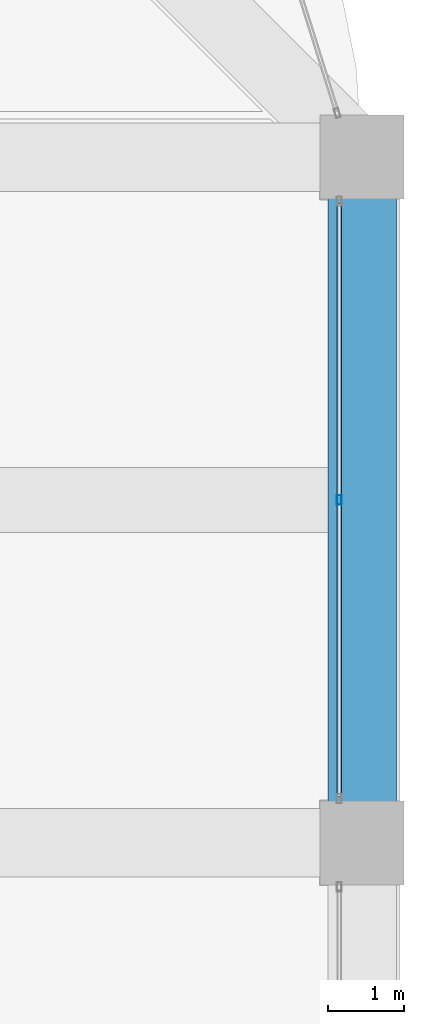
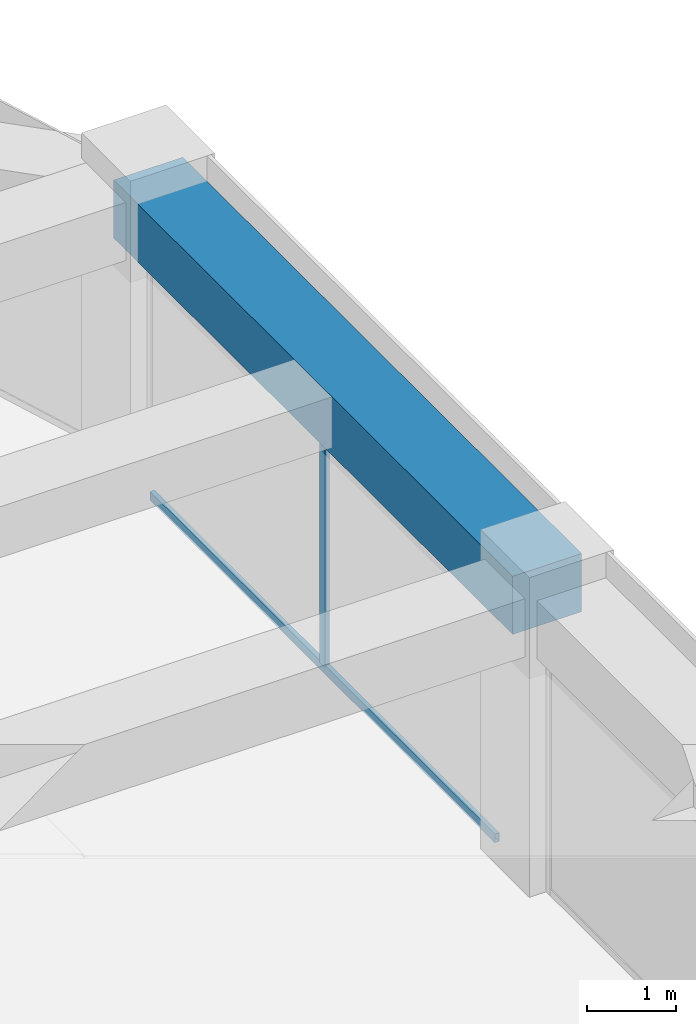
# One storey, part 27 of 44: 2 members, 1 beam, 1 element without a shape of its own.
"""IFC4 building model written with IfcOpenShell, lengths in metres."""

from ifc_helpers import new_model, si_unit, direction, frame, origin, origin_2d, place, context, subcontext, project, spatial, rectangle, hollow_rectangle, extrude, material, material_profile, profile_set, type_object, element, aggregate, save


model = new_model("IFC4")

# Units and contexts
model_context = context("Model", 3, precision=1e-05, world=origin(), true_north=direction((0.0, 1.0)))
body_context = subcontext(model_context, "Body", "Model", "MODEL_VIEW")
ifc_project = project(units=[si_unit("LENGTHUNIT", "METRE"), si_unit("AREAUNIT", "SQUARE_METRE"), si_unit("VOLUMEUNIT", "CUBIC_METRE"), si_unit("PLANEANGLEUNIT", "RADIAN"), si_unit("MASSUNIT", "GRAM", prefix="KILO")], contexts=[model_context])

# Site, building, storey
site_placement = place(None, origin())
site = spatial("IfcSite", under=ifc_project, at=site_placement, CompositionType="ELEMENT")
building_placement = place(site_placement, origin())
building = spatial("IfcBuilding", under=site, at=building_placement, Name="Zorevar Civic Tower", CompositionType="ELEMENT")
storey_placement = place(building_placement, frame((0.0, 0.0, 307.39990234375)))
storey = spatial("IfcBuildingStorey", under=building, at=storey_placement, Name="L75", CompositionType="ELEMENT", Elevation=307.39990234375)

# Curtain wall, members
ifc_material_1 = material(Name="Dark grey solar-control glass in black aluminium frame", Category="aluminium")
curtain_wall_type = type_object("IfcCurtainWallType", Name="Curtain wall CW5 top zone", PredefinedType="NOTDEFINED", material=ifc_material_1)
curtain_wall_placement = place(storey_placement, origin())
curtain_wall = element("IfcCurtainWall", 1, at=curtain_wall_placement, inside=storey, type_object=curtain_wall_type, Name="CW5 L75", PredefinedType="NOTDEFINED")
ifc_material_2 = material(Name="Aluminium, black anodised", Category="aluminium")
ifc_material_profile_1 = material_profile(ifc_material_2, hollow_rectangle(XDim=0.06005859375, YDim=0.1201171875, WallThickness=0.0029296875, at=origin_2d()), Name="AL 120x60x3")
ifc_profile_set_1 = profile_set([ifc_material_profile_1], Name="Aluminium, black anodised")
member_type_1 = type_object("IfcMemberType", Name="CW5 mullion AL 120x60x3", PredefinedType="MULLION", material=ifc_profile_set_1)
member_1_placement = place(storey_placement, frame((53.699951171875, 31.5, 0.06005859375), z_axis=(0.0, 0.0, 1.0), x_axis=(-1.0, 0.0, 0.0)))
member_1 = element("IfcMember", 2, at=member_1_placement, type_object=member_type_1, Name="CW5 mullion 2", PredefinedType="MULLION", context=body_context, shape_type="SweptSolid", body=[
    extrude(hollow_rectangle(XDim=0.06005859375, YDim=0.1201171875, WallThickness=0.0029296875, at=origin_2d()), origin(), (0.0, 0.0, 1.0), 3.18994140625),
])
ifc_material_3 = material(Name="Aluminium, black anodised", Category="aluminium")
ifc_material_profile_2 = material_profile(ifc_material_3, hollow_rectangle(XDim=0.06005859375, YDim=0.1201171875, WallThickness=0.0029296875, at=origin_2d()), Name="AL 120x60x3")
ifc_profile_set_2 = profile_set([ifc_material_profile_2], Name="Aluminium, black anodised")
member_type_2 = type_object("IfcMemberType", Name="CW5 transom AL 120x60x3", PredefinedType="USERDEFINED", material=ifc_profile_set_2)
member_2_placement = place(storey_placement, frame((53.699951171875, 27.610107421875, 0.030029296875), z_axis=(0.0, 1.0, 0.0), x_axis=(-1.0, 0.0, 0.0)))
member_2 = element("IfcMember", 3, at=member_2_placement, type_object=member_type_2, Name="CW5 sill transom", ObjectType="TRANSOM", PredefinedType="USERDEFINED", context=body_context, shape_type="SweptSolid", body=[
    extrude(hollow_rectangle(XDim=0.06005859375, YDim=0.1201171875, WallThickness=0.0029296875, at=origin_2d()), origin(), (0.0, 0.0, 1.0), 7.77978515625),
])
aggregate(curtain_wall, [member_1, member_2])

# Beam
ifc_material_4 = material(Name="Concrete C50/60", Category="concrete")
ifc_material_profile_3 = material_profile(ifc_material_4, rectangle(XDim=0.89990234375, YDim=0.800048828125, at=origin_2d()), Name="RC 900x800")
ifc_profile_set_3 = profile_set([ifc_material_profile_3], Name="Concrete C50/60")
beam_type = type_object("IfcBeamType", Name="Edge beam RC 900x800", PredefinedType="SPANDREL", material=ifc_profile_set_3)
beam_placement = place(storey_placement, frame((54.0, 27.0, 3.650146484375), z_axis=(0.0, 1.0, 0.0), x_axis=(-1.0, 0.0, 0.0)))
element("IfcBeam", 4, at=beam_placement, inside=storey, type_object=beam_type, Name="Edge beam RF", PredefinedType="SPANDREL", context=body_context, shape_type="SweptSolid", body=[
    extrude(rectangle(XDim=0.89990234375, YDim=0.800048828125, at=origin_2d()), origin(), (0.0, 0.0, 1.0), 9.0),
])

save(model, "model.ifc")
